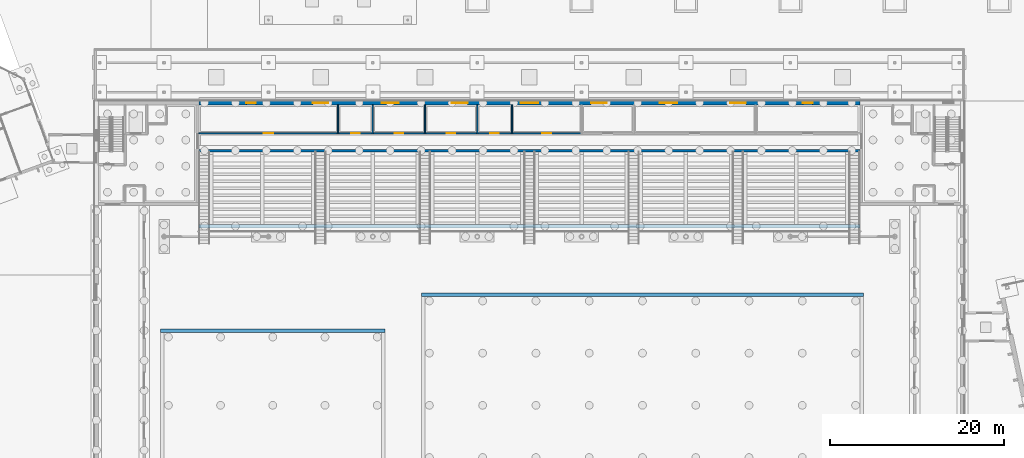
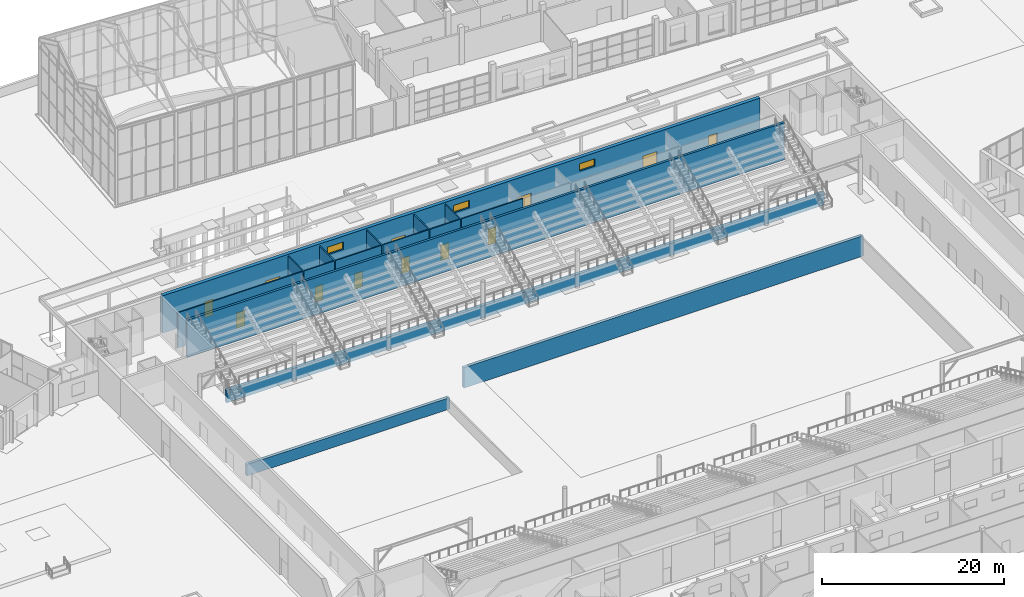
# One storey, part 95 of 157: 16 walls, 12 doors, 3 windows, 15 openings.
"""IFC4 building model written with IfcOpenShell, lengths in metres."""

import ifcopenshell
import ifcopenshell.guid

model = None  # the IFC model being written
_history = None  # IfcOwnerHistory: only IFC2X3 demands one
_inside = {}  # id of a spatial element -> (the spatial element, [elements in it])
_under = {}  # id of a project, library or spatial element -> (it, [spatial elements below it])
_declared = {}  # id of a project -> (the project, [libraries it declares])
_typed = {}  # id of a type object -> (the type object, [elements of that type])
_made_of = {}  # id of a material, layer set ... -> (it, [elements and type objects made of it])


def new_model(schema):
    """Start an empty IFC model of exactly this schema.

    Asked for "IFC4X3", IfcOpenShell would pick the latest addendum, in which some entities
    have other attributes; the version numbers below select the first issue.
    IFC2X3 requires an IfcOwnerHistory on every rooted entity: one is made here for all.
    """
    global model, _history
    if schema == "IFC4X3":
        model = ifcopenshell.file(schema_version=(4, 3, 0, 0))
    else:
        model = ifcopenshell.file(schema=schema)
    _inside.clear()
    _under.clear()
    _declared.clear()
    _typed.clear()
    _made_of.clear()
    _history = None
    if model.schema == "IFC2X3":
        org = make("IfcOrganization", Name="unknown")
        user = make(
            "IfcPersonAndOrganization",
            ThePerson=make("IfcPerson", FamilyName="unknown"),
            TheOrganization=org,
        )
        app = make(
            "IfcApplication",
            ApplicationDeveloper=org,
            Version="unknown",
            ApplicationFullName="unknown",
            ApplicationIdentifier="unknown",
        )
        _history = make(
            "IfcOwnerHistory",
            OwningUser=user,
            OwningApplication=app,
            ChangeAction="ADDED",
            CreationDate=0,
        )
    return model


def make(cls, **values):
    """One entity of the class cls with the attributes given. An attribute that is None is left unset."""
    return model.create_entity(
        cls, **{name: value for name, value in values.items() if value is not None}
    )


def rooted(cls, **values):
    """An entity with a GlobalId (a new one), such as an element, a storey or a relation."""
    return make(cls, GlobalId=ifcopenshell.guid.new(), OwnerHistory=_history, **values)


def si_unit(unit_type, name, prefix=None):
    """IfcSIUnit, for example si_unit("LENGTHUNIT", "METRE", prefix="MILLI")."""
    return make("IfcSIUnit", UnitType=unit_type, Prefix=prefix, Name=name)


def assignment(units):
    """IfcUnitAssignment: the units of a project."""
    return None if units is None else make("IfcUnitAssignment", Units=units)


def point(xyz):
    """IfcCartesianPoint."""
    return None if xyz is None else make("IfcCartesianPoint", Coordinates=xyz)


def direction(xyz):
    """IfcDirection."""
    return None if xyz is None else make("IfcDirection", DirectionRatios=xyz)


def frame(location, z_axis=None, x_axis=None):
    """IfcAxis2Placement3D, a coordinate frame: its origin and axes. An axis left out is left unset."""
    return make(
        "IfcAxis2Placement3D",
        Location=point(location),
        Axis=direction(z_axis),
        RefDirection=direction(x_axis),
    )


def frame_2d(location, x_axis=None):
    """IfcAxis2Placement2D, a coordinate frame in the plane: its origin and x axis."""
    return make(
        "IfcAxis2Placement2D", Location=point(location), RefDirection=direction(x_axis)
    )


def origin():
    """The frame at (0, 0, 0) with its axes left unset."""
    return frame((0.0, 0.0, 0.0))


def place(relative_to, where):
    """IfcLocalPlacement: puts the frame where relative to a parent placement (None: the world)."""
    return make(
        "IfcLocalPlacement", PlacementRelTo=relative_to, RelativePlacement=where
    )


def context(
    kind, dimensions, precision=None, world=None, true_north=None, identifier=None
):
    """IfcGeometricRepresentationContext, for example the 3D "Model" context."""
    return make(
        "IfcGeometricRepresentationContext",
        ContextIdentifier=identifier,
        ContextType=kind,
        CoordinateSpaceDimension=dimensions,
        Precision=precision,
        WorldCoordinateSystem=world,
        TrueNorth=true_north,
    )


def subcontext(parent, identifier, kind, view, scale=None):
    """IfcGeometricRepresentationSubContext, for example "Body" below "Model"."""
    return make(
        "IfcGeometricRepresentationSubContext",
        ContextIdentifier=identifier,
        ContextType=kind,
        ParentContext=parent,
        TargetScale=scale,
        TargetView=view,
    )


def project(units=None, contexts=None):
    """IfcProject with its units and contexts."""
    return rooted(
        "IfcProject",
        Name="project",
        RepresentationContexts=contexts,
        UnitsInContext=assignment(units),
    )


def spatial(cls, under=None, at=None, **own):
    """A site, building, storey or space (cls), placed at a placement, below another one or the project."""
    s = rooted(cls, ObjectPlacement=at, **own)
    if under is not None:
        _under.setdefault(under.id(), (under, []))[1].append(s)
    return s


def profile(cls, at=None, kind="AREA", **sizes):
    """A parametric profile (cls). Its sizes go by their IFC names, for example OverallWidth=200.0."""
    return make(cls, ProfileType=kind, Position=at, **sizes)


def rectangle(**sizes):
    """IfcRectangleProfileDef."""
    return profile("IfcRectangleProfileDef", **sizes)


def extrude(swept, where, along, depth):
    """IfcExtrudedAreaSolid: the profile swept, set in the frame where, extruded along a direction by depth."""
    return make(
        "IfcExtrudedAreaSolid",
        SweptArea=swept,
        Position=where,
        ExtrudedDirection=direction(along),
        Depth=depth,
    )


def shape(context_of_items, identifier, shape_type, items):
    """IfcShapeRepresentation: the items that make up one representation, for example the "Body"."""
    return make(
        "IfcShapeRepresentation",
        ContextOfItems=context_of_items,
        RepresentationIdentifier=identifier,
        RepresentationType=shape_type,
        Items=items,
    )


def material(Name=None, Category=None):
    """IfcMaterial."""
    return make("IfcMaterial", Name=Name, Category=Category)


def layer(
    of_material, thickness, ventilated=None, Name=None, Category=None, Priority=None
):
    """IfcMaterialLayer: one layer of a wall or slab, of a material (None: an air gap)."""
    return make(
        "IfcMaterialLayer",
        Material=of_material,
        LayerThickness=thickness,
        IsVentilated=ventilated,
        Name=Name,
        Category=Category,
        Priority=Priority,
    )


def layer_set(layers, Name=None):
    """IfcMaterialLayerSet."""
    return make("IfcMaterialLayerSet", MaterialLayers=layers, LayerSetName=Name)


def made_of(thing, what):
    """Note that an element or type object is made of a material, layer set ...; save() writes the relation."""
    if what is not None:
        _made_of.setdefault(what.id(), (what, []))[1].append(thing)
    return thing


def type_object(cls, material=None, **own):
    """A type object (cls), such as IfcWallType, which elements share."""
    return made_of(rooted(cls, **own), material)


def element(
    cls,
    number,
    at=None,
    inside=None,
    cuts=None,
    type_object=None,
    material=None,
    context=None,
    identifier="Body",
    shape_type=None,
    held_by="IfcProductDefinitionShape",
    body=None,
    shapes=None,
    **own,
):
    """One element of the class cls, such as IfcWall. Its Tag is "e" and its number.

    at: its placement. inside: the storey or other place that contains it. cuts: it is an
    opening in that element (IfcRelVoidsElement). A single representation is given by context,
    identifier, shape_type and body (its items); several are given by shapes. held_by: the class
    of the entity that holds the representations. save() writes the other relations.
    """
    e = rooted(cls, Tag="e%d" % number, ObjectPlacement=at, **own)
    if body is not None:
        shapes = [shape(context, identifier, shape_type, body)]
    if shapes is not None:
        e.Representation = make(held_by, Representations=shapes)
    if inside is not None:
        _inside.setdefault(inside.id(), (inside, []))[1].append(e)
    if cuts is not None:
        rooted(
            "IfcRelVoidsElement", RelatingBuildingElement=cuts, RelatedOpeningElement=e
        )
    if type_object is not None:
        _typed.setdefault(type_object.id(), (type_object, []))[1].append(e)
    return made_of(e, material)


def fill(opening, filler):
    """IfcRelFillsElement: the door or window that sits in an opening."""
    return rooted(
        "IfcRelFillsElement",
        RelatingOpeningElement=opening,
        RelatedBuildingElement=filler,
    )


def aggregate(whole, parts):
    """IfcRelAggregates: a whole, such as a stair, and the parts it consists of."""
    return rooted("IfcRelAggregates", RelatingObject=whole, RelatedObjects=parts)


def save(model, path):
    """Write the relations noted so far, then the file.

    IfcRelAggregates (storeys below a building ...), IfcRelContainedInSpatialStructure (elements
    in a storey), IfcRelDefinesByType, IfcRelAssociatesMaterial and IfcRelDeclares: one each for
    every whole, place, type object, material and project.
    """
    for whole, parts in _under.values():
        aggregate(whole, parts)
    for where, things in _inside.values():
        rooted(
            "IfcRelContainedInSpatialStructure",
            RelatedElements=things,
            RelatingStructure=where,
        )
    for kind, things in _typed.values():
        rooted("IfcRelDefinesByType", RelatedObjects=things, RelatingType=kind)
    for what, things in _made_of.values():
        rooted("IfcRelAssociatesMaterial", RelatedObjects=things, RelatingMaterial=what)
    for by, libraries in _declared.values():
        rooted("IfcRelDeclares", RelatingContext=by, RelatedDefinitions=libraries)
    model.write(path)


model = new_model("IFC4")

# Units and contexts
model_context = context("Model", 3, precision=1e-05, world=origin(), true_north=direction((0.0, 1.0)))
body_context = subcontext(model_context, "Body", "Model", "MODEL_VIEW")
ifc_project = project(units=[si_unit("LENGTHUNIT", "METRE"), si_unit("AREAUNIT", "SQUARE_METRE"), si_unit("VOLUMEUNIT", "CUBIC_METRE"), si_unit("PLANEANGLEUNIT", "RADIAN"), si_unit("MASSUNIT", "GRAM", prefix="KILO")], contexts=[model_context])

# Site, building, storey
site_placement = place(None, origin())
site = spatial("IfcSite", under=ifc_project, at=site_placement, CompositionType="ELEMENT")
building_placement = place(site_placement, origin())
building = spatial("IfcBuilding", under=site, at=building_placement, Name="Windward Yard Aquatics Centre", CompositionType="ELEMENT")
storey_placement = place(building_placement, origin())
storey = spatial("IfcBuildingStorey", under=building, at=storey_placement, Name="L00", CompositionType="ELEMENT", Elevation=0.0)

# Wall, opening, door
ifc_material_1 = material(Name="Blockwork 150 mm", Category="masonry")
ifc_layer_1 = layer(ifc_material_1, 0.14990234375)
ifc_layer_set_1 = layer_set([ifc_layer_1], Name="H Partition Blockwork 150")
wall_type_1 = type_object("IfcWallType", Name="H Partition Blockwork 150", PredefinedType="PARTITIONING", material=ifc_layer_set_1)
wall_1_placement = place(storey_placement, frame((64.0, 92.280029296875, 0.0), z_axis=(0.0, 0.0, 1.0), x_axis=(1.0, 0.0, 0.0)))
wall_1 = element("IfcWall", 1, at=wall_1_placement, inside=storey, type_object=wall_type_1, Name="L00 partition Team Changing Room", PredefinedType="PARTITIONING", context=body_context, shape_type="SweptSolid", body=[
    extrude(rectangle(XDim=15.925048828125, YDim=0.14990234375, at=frame_2d((7.96240234375, 0.0))), origin(), (0.0, 0.0, 1.0), 4.75),
])
opening_1_placement = place(wall_1_placement, frame((7.449951171875, 0.0, 0.0)))
opening_1 = element("IfcOpeningElement", 2, at=opening_1_placement, cuts=wall_1, Name="Opening H0038", PredefinedType="OPENING", context=body_context, shape_type="SweptSolid", body=[
    extrude(rectangle(XDim=1.10009765625, YDim=2.10009765625, at=frame_2d((0.550048828125, 1.050048828125))), frame((0.0, 0.0849609375, 0.0), z_axis=(0.0, -1.0, 0.0), x_axis=(1.0, 0.0, 0.0)), (0.0, 0.0, 1.0), 0.169921875),
])
ifc_material_2 = material(Name="Steel and timber door leaf", Category="steel")
door_type_1 = type_object("IfcDoorType", Name="H Door Single 1100 x 2100 FD30S", OperationType="NOTDEFINED", PredefinedType="DOOR", material=ifc_material_2)
door_1_placement = place(opening_1_placement, origin())
door_1 = element("IfcDoor", 3, at=door_1_placement, inside=storey, type_object=door_type_1, Name="L00 Team Changing Room door", OperationType="SINGLE_SWING_RIGHT", OverallHeight=2.10009765625, OverallWidth=1.10009765625, PredefinedType="DOOR", context=body_context, shape_type="SweptSolid", body=[
    extrude(rectangle(XDim=1.10009765625, YDim=2.10009765625, at=frame_2d((0.550048828125, 1.050048828125))), frame((0.0, 0.02490234375, 0.0), z_axis=(0.0, -1.0, 0.0), x_axis=(1.0, 0.0, 0.0)), (0.0, 0.0, 1.0), 0.050048828125),
])
fill(opening_1, door_1)

# Wall
wall_2_placement = place(storey_placement, frame((80.0, 95.550048828125, 0.0), z_axis=(0.0, 0.0, 1.0), x_axis=(0.0, -1.0, 0.0)))
element("IfcWall", 4, at=wall_2_placement, inside=storey, type_object=wall_type_1, Name="L00 partition Team Changing Room", PredefinedType="PARTITIONING", context=body_context, shape_type="SweptSolid", body=[
    extrude(rectangle(XDim=3.344970703125, YDim=0.14990234375, at=frame_2d((1.67236328125, 0.0))), origin(), (0.0, 0.0, 1.0), 4.75),
])

# Wall, opening, door
wall_3_placement = place(storey_placement, frame((80.074951171875, 92.280029296875, 0.0), z_axis=(0.0, 0.0, 1.0), x_axis=(1.0, 0.0, 0.0)))
wall_3 = element("IfcWall", 5, at=wall_3_placement, inside=storey, type_object=wall_type_1, Name="L00 partition Team Shower Room", PredefinedType="PARTITIONING", context=body_context, shape_type="SweptSolid", body=[
    extrude(rectangle(XDim=3.85009765625, YDim=0.14990234375, at=frame_2d((1.925048828125, 0.0))), origin(), (0.0, 0.0, 1.0), 4.75),
])
opening_2_placement = place(wall_3_placement, frame((1.425048828125, 0.0, 0.0)))
opening_2 = element("IfcOpeningElement", 6, at=opening_2_placement, cuts=wall_3, Name="Opening H0039", PredefinedType="OPENING", context=body_context, shape_type="SweptSolid", body=[
    extrude(rectangle(XDim=1.0, YDim=2.10009765625, at=frame_2d((0.5, 1.050048828125))), frame((0.0, 0.0849609375, 0.0), z_axis=(0.0, -1.0, 0.0), x_axis=(1.0, 0.0, 0.0)), (0.0, 0.0, 1.0), 0.169921875),
])
door_type_2 = type_object("IfcDoorType", Name="H Door Single 1000 x 2100 FD30S", OperationType="NOTDEFINED", PredefinedType="DOOR", material=ifc_material_2)
door_2_placement = place(opening_2_placement, origin())
door_2 = element("IfcDoor", 7, at=door_2_placement, inside=storey, type_object=door_type_2, Name="L00 Team Shower Room door", OperationType="SINGLE_SWING_LEFT", OverallHeight=2.10009765625, OverallWidth=1.0, PredefinedType="DOOR", context=body_context, shape_type="SweptSolid", body=[
    extrude(rectangle(XDim=1.0, YDim=2.10009765625, at=frame_2d((0.5, 1.050048828125))), frame((0.0, 0.02490234375, 0.0), z_axis=(0.0, -1.0, 0.0), x_axis=(1.0, 0.0, 0.0)), (0.0, 0.0, 1.0), 0.050048828125),
])
fill(opening_2, door_2)

# Wall
wall_4_placement = place(storey_placement, frame((84.0, 95.550048828125, 0.0), z_axis=(0.0, 0.0, 1.0), x_axis=(0.0, -1.0, 0.0)))
element("IfcWall", 8, at=wall_4_placement, inside=storey, type_object=wall_type_1, Name="L00 partition Team Shower Room", PredefinedType="PARTITIONING", context=body_context, shape_type="SweptSolid", body=[
    extrude(rectangle(XDim=3.344970703125, YDim=0.14990234375, at=frame_2d((1.67236328125, 0.0))), origin(), (0.0, 0.0, 1.0), 4.75),
])

# Wall, opening, door
wall_5_placement = place(storey_placement, frame((84.074951171875, 92.280029296875, 0.0), z_axis=(0.0, 0.0, 1.0), x_axis=(1.0, 0.0, 0.0)))
wall_5 = element("IfcWall", 9, at=wall_5_placement, inside=storey, type_object=wall_type_1, Name="L00 partition Spectator WC Men", PredefinedType="PARTITIONING", context=body_context, shape_type="SweptSolid", body=[
    extrude(rectangle(XDim=5.85009765625, YDim=0.14990234375, at=frame_2d((2.925048828125, 0.0))), origin(), (0.0, 0.0, 1.0), 4.75),
])
opening_3_placement = place(wall_5_placement, frame((2.425048828125, 0.0, 0.0)))
opening_3 = element("IfcOpeningElement", 10, at=opening_3_placement, cuts=wall_5, Name="Opening H0040", PredefinedType="OPENING", context=body_context, shape_type="SweptSolid", body=[
    extrude(rectangle(XDim=1.0, YDim=2.10009765625, at=frame_2d((0.5, 1.050048828125))), frame((0.0, 0.0849609375, 0.0), z_axis=(0.0, -1.0, 0.0), x_axis=(1.0, 0.0, 0.0)), (0.0, 0.0, 1.0), 0.169921875),
])
door_3_placement = place(opening_3_placement, origin())
door_3 = element("IfcDoor", 11, at=door_3_placement, inside=storey, type_object=door_type_2, Name="L00 Spectator WC Men door", OperationType="SINGLE_SWING_RIGHT", OverallHeight=2.10009765625, OverallWidth=1.0, PredefinedType="DOOR", context=body_context, shape_type="SweptSolid", body=[
    extrude(rectangle(XDim=1.0, YDim=2.10009765625, at=frame_2d((0.5, 1.050048828125))), frame((0.0, 0.02490234375, 0.0), z_axis=(0.0, -1.0, 0.0), x_axis=(1.0, 0.0, 0.0)), (0.0, 0.0, 1.0), 0.050048828125),
])
fill(opening_3, door_3)

# Wall
wall_6_placement = place(storey_placement, frame((90.0, 95.550048828125, 0.0), z_axis=(0.0, 0.0, 1.0), x_axis=(0.0, -1.0, 0.0)))
element("IfcWall", 12, at=wall_6_placement, inside=storey, type_object=wall_type_1, Name="L00 partition Spectator WC Men", PredefinedType="PARTITIONING", context=body_context, shape_type="SweptSolid", body=[
    extrude(rectangle(XDim=3.344970703125, YDim=0.14990234375, at=frame_2d((1.67236328125, 0.0))), origin(), (0.0, 0.0, 1.0), 4.75),
])

# Wall, opening, door
wall_7_placement = place(storey_placement, frame((90.074951171875, 92.280029296875, 0.0), z_axis=(0.0, 0.0, 1.0), x_axis=(1.0, 0.0, 0.0)))
wall_7 = element("IfcWall", 13, at=wall_7_placement, inside=storey, type_object=wall_type_1, Name="L00 partition Spectator WC Women", PredefinedType="PARTITIONING", context=body_context, shape_type="SweptSolid", body=[
    extrude(rectangle(XDim=5.85009765625, YDim=0.14990234375, at=frame_2d((2.925048828125, 0.0))), origin(), (0.0, 0.0, 1.0), 4.75),
])
opening_4_placement = place(wall_7_placement, frame((2.425048828125, 0.0, 0.0)))
opening_4 = element("IfcOpeningElement", 14, at=opening_4_placement, cuts=wall_7, Name="Opening H0041", PredefinedType="OPENING", context=body_context, shape_type="SweptSolid", body=[
    extrude(rectangle(XDim=1.0, YDim=2.10009765625, at=frame_2d((0.5, 1.050048828125))), frame((0.0, 0.0849609375, 0.0), z_axis=(0.0, -1.0, 0.0), x_axis=(1.0, 0.0, 0.0)), (0.0, 0.0, 1.0), 0.169921875),
])
door_4_placement = place(opening_4_placement, origin())
door_4 = element("IfcDoor", 15, at=door_4_placement, inside=storey, type_object=door_type_2, Name="L00 Spectator WC Women door", OperationType="SINGLE_SWING_LEFT", OverallHeight=2.10009765625, OverallWidth=1.0, PredefinedType="DOOR", context=body_context, shape_type="SweptSolid", body=[
    extrude(rectangle(XDim=1.0, YDim=2.10009765625, at=frame_2d((0.5, 1.050048828125))), frame((0.0, 0.02490234375, 0.0), z_axis=(0.0, -1.0, 0.0), x_axis=(1.0, 0.0, 0.0)), (0.0, 0.0, 1.0), 0.050048828125),
])
fill(opening_4, door_4)

# Wall
wall_8_placement = place(storey_placement, frame((96.0, 95.550048828125, 0.0), z_axis=(0.0, 0.0, 1.0), x_axis=(0.0, -1.0, 0.0)))
element("IfcWall", 16, at=wall_8_placement, inside=storey, type_object=wall_type_1, Name="L00 partition Spectator WC Women", PredefinedType="PARTITIONING", context=body_context, shape_type="SweptSolid", body=[
    extrude(rectangle(XDim=3.344970703125, YDim=0.14990234375, at=frame_2d((1.67236328125, 0.0))), origin(), (0.0, 0.0, 1.0), 4.75),
])

# Wall, opening, door
wall_9_placement = place(storey_placement, frame((96.074951171875, 92.280029296875, 0.0), z_axis=(0.0, 0.0, 1.0), x_axis=(1.0, 0.0, 0.0)))
wall_9 = element("IfcWall", 17, at=wall_9_placement, inside=storey, type_object=wall_type_1, Name="L00 partition Accessible WC", PredefinedType="PARTITIONING", context=body_context, shape_type="SweptSolid", body=[
    extrude(rectangle(XDim=3.85009765625, YDim=0.14990234375, at=frame_2d((1.925048828125, 0.0))), origin(), (0.0, 0.0, 1.0), 4.75),
])
opening_5_placement = place(wall_9_placement, frame((1.425048828125, 0.0, 0.0)))
opening_5 = element("IfcOpeningElement", 18, at=opening_5_placement, cuts=wall_9, Name="Opening H0042", PredefinedType="OPENING", context=body_context, shape_type="SweptSolid", body=[
    extrude(rectangle(XDim=1.0, YDim=2.10009765625, at=frame_2d((0.5, 1.050048828125))), frame((0.0, 0.0849609375, 0.0), z_axis=(0.0, -1.0, 0.0), x_axis=(1.0, 0.0, 0.0)), (0.0, 0.0, 1.0), 0.169921875),
])
door_5_placement = place(opening_5_placement, origin())
door_5 = element("IfcDoor", 19, at=door_5_placement, inside=storey, type_object=door_type_2, Name="L00 Accessible WC door", OperationType="SINGLE_SWING_RIGHT", OverallHeight=2.10009765625, OverallWidth=1.0, PredefinedType="DOOR", context=body_context, shape_type="SweptSolid", body=[
    extrude(rectangle(XDim=1.0, YDim=2.10009765625, at=frame_2d((0.5, 1.050048828125))), frame((0.0, 0.02490234375, 0.0), z_axis=(0.0, -1.0, 0.0), x_axis=(1.0, 0.0, 0.0)), (0.0, 0.0, 1.0), 0.050048828125),
])
fill(opening_5, door_5)

# Wall
wall_10_placement = place(storey_placement, frame((100.0, 95.550048828125, 0.0), z_axis=(0.0, 0.0, 1.0), x_axis=(0.0, -1.0, 0.0)))
element("IfcWall", 20, at=wall_10_placement, inside=storey, type_object=wall_type_1, Name="L00 partition Accessible WC", PredefinedType="PARTITIONING", context=body_context, shape_type="SweptSolid", body=[
    extrude(rectangle(XDim=3.344970703125, YDim=0.14990234375, at=frame_2d((1.67236328125, 0.0))), origin(), (0.0, 0.0, 1.0), 4.75),
])

# Wall, opening, door
wall_11_placement = place(storey_placement, frame((100.074951171875, 92.280029296875, 0.0), z_axis=(0.0, 0.0, 1.0), x_axis=(1.0, 0.0, 0.0)))
wall_11 = element("IfcWall", 21, at=wall_11_placement, inside=storey, type_object=wall_type_1, Name="L00 partition Ticketing and Security Office", PredefinedType="PARTITIONING", context=body_context, shape_type="SweptSolid", body=[
    extrude(rectangle(XDim=7.85009765625, YDim=0.14990234375, at=frame_2d((3.925048828125, 0.0))), origin(), (0.0, 0.0, 1.0), 4.75),
])
opening_6_placement = place(wall_11_placement, frame((3.425048828125, 0.0, 0.0)))
opening_6 = element("IfcOpeningElement", 22, at=opening_6_placement, cuts=wall_11, Name="Opening H0043", PredefinedType="OPENING", context=body_context, shape_type="SweptSolid", body=[
    extrude(rectangle(XDim=1.0, YDim=2.10009765625, at=frame_2d((0.5, 1.050048828125))), frame((0.0, 0.0849609375, 0.0), z_axis=(0.0, -1.0, 0.0), x_axis=(1.0, 0.0, 0.0)), (0.0, 0.0, 1.0), 0.169921875),
])
door_6_placement = place(opening_6_placement, origin())
door_6 = element("IfcDoor", 23, at=door_6_placement, inside=storey, type_object=door_type_2, Name="L00 Ticketing and Security Office door", OperationType="SINGLE_SWING_LEFT", OverallHeight=2.10009765625, OverallWidth=1.0, PredefinedType="DOOR", context=body_context, shape_type="SweptSolid", body=[
    extrude(rectangle(XDim=1.0, YDim=2.10009765625, at=frame_2d((0.5, 1.050048828125))), frame((0.0, 0.02490234375, 0.0), z_axis=(0.0, -1.0, 0.0), x_axis=(1.0, 0.0, 0.0)), (0.0, 0.0, 1.0), 0.050048828125),
])
fill(opening_6, door_6)

# Wall, openings, doors, windows
ifc_material_3 = material(Name="Natural stone cladding", Category="masonry")
ifc_layer_2 = layer(ifc_material_3, 0.04, Name="Cladding")
ifc_material_4 = material(Name="Ventilated air cavity")
ifc_layer_3 = layer(ifc_material_4, 0.05, ventilated=True, Name="Ventilated cavity")
ifc_material_5 = material(Name="Mineral wool insulation")
ifc_layer_4 = layer(ifc_material_5, 0.08, Name="Insulation")
ifc_material_6 = material(Name="Concrete C35/45", Category="concrete")
ifc_layer_5 = layer(ifc_material_6, 0.28, Name="Structure")
ifc_layer_set_2 = layer_set([ifc_layer_2, ifc_layer_3, ifc_layer_4, ifc_layer_5], Name="H plinth wall stone faced 450 C35/45")
wall_type_2 = type_object("IfcWallType", Name="H plinth wall stone faced 450 C35/45", PredefinedType="ELEMENTEDWALL", material=ifc_layer_set_2)
wall_12_placement = place(storey_placement, frame((64.0, 95.77490234375, 0.0), z_axis=(0.0, 0.0, 1.0), x_axis=(1.0, 0.0, 0.0)))
wall_12 = element("IfcWall", 24, at=wall_12_placement, inside=storey, type_object=wall_type_2, Name="H.PW.N.L00", PredefinedType="ELEMENTEDWALL", context=body_context, shape_type="SweptSolid", body=[
    extrude(rectangle(XDim=76.0, YDim=0.449951171875, at=frame_2d((38.0, 0.0))), origin(), (0.0, 0.0, 1.0), 5.0),
])
opening_7_placement = place(wall_12_placement, frame((13.10009765625, 0.0, 0.0)))
opening_7 = element("IfcOpeningElement", 25, at=opening_7_placement, cuts=wall_12, Name="Opening H0101", PredefinedType="OPENING", context=body_context, shape_type="SweptSolid", body=[
    extrude(rectangle(XDim=1.800048828125, YDim=2.39990234375, at=frame_2d((0.89990234375, 1.199951171875))), frame((0.0, 0.23486328125, 0.0), z_axis=(0.0, -1.0, 0.0), x_axis=(1.0, 0.0, 0.0)), (0.0, 0.0, 1.0), 0.469970703125),
])
opening_8_placement = place(wall_12_placement, frame((29.10009765625, 0.0, 0.0)))
opening_8 = element("IfcOpeningElement", 26, at=opening_8_placement, cuts=wall_12, Name="Opening H0102", PredefinedType="OPENING", context=body_context, shape_type="SweptSolid", body=[
    extrude(rectangle(XDim=1.800048828125, YDim=2.39990234375, at=frame_2d((0.89990234375, 1.199951171875))), frame((0.0, 0.23486328125, 0.0), z_axis=(0.0, -1.0, 0.0), x_axis=(1.0, 0.0, 0.0)), (0.0, 0.0, 1.0), 0.469970703125),
])
opening_9_placement = place(wall_12_placement, frame((45.10009765625, 0.0, 0.0)))
opening_9 = element("IfcOpeningElement", 27, at=opening_9_placement, cuts=wall_12, Name="Opening H0103", PredefinedType="OPENING", context=body_context, shape_type="SweptSolid", body=[
    extrude(rectangle(XDim=1.800048828125, YDim=2.39990234375, at=frame_2d((0.89990234375, 1.199951171875))), frame((0.0, 0.23486328125, 0.0), z_axis=(0.0, -1.0, 0.0), x_axis=(1.0, 0.0, 0.0)), (0.0, 0.0, 1.0), 0.469970703125),
])
opening_10_placement = place(wall_12_placement, frame((61.10009765625, 0.0, 0.0)))
opening_10 = element("IfcOpeningElement", 28, at=opening_10_placement, cuts=wall_12, Name="Opening H0104", PredefinedType="OPENING", context=body_context, shape_type="SweptSolid", body=[
    extrude(rectangle(XDim=1.800048828125, YDim=2.39990234375, at=frame_2d((0.89990234375, 1.199951171875))), frame((0.0, 0.23486328125, 0.0), z_axis=(0.0, -1.0, 0.0), x_axis=(1.0, 0.0, 0.0)), (0.0, 0.0, 1.0), 0.469970703125),
])
opening_11_placement = place(wall_12_placement, frame((5.449951171875, 0.0, 0.0)))
opening_11 = element("IfcOpeningElement", 29, at=opening_11_placement, cuts=wall_12, Name="Opening H0105", PredefinedType="OPENING", context=body_context, shape_type="SweptSolid", body=[
    extrude(rectangle(XDim=1.10009765625, YDim=2.199951171875, at=frame_2d((0.550048828125, 1.10009765625))), frame((0.0, 0.23486328125, 0.0), z_axis=(0.0, -1.0, 0.0), x_axis=(1.0, 0.0, 0.0)), (0.0, 0.0, 1.0), 0.469970703125),
])
opening_12_placement = place(wall_12_placement, frame((69.449951171875, 0.0, 0.0)))
opening_12 = element("IfcOpeningElement", 30, at=opening_12_placement, cuts=wall_12, Name="Opening H0106", PredefinedType="OPENING", context=body_context, shape_type="SweptSolid", body=[
    extrude(rectangle(XDim=1.10009765625, YDim=2.199951171875, at=frame_2d((0.550048828125, 1.10009765625))), frame((0.0, 0.23486328125, 0.0), z_axis=(0.0, -1.0, 0.0), x_axis=(1.0, 0.0, 0.0)), (0.0, 0.0, 1.0), 0.469970703125),
])
opening_13_placement = place(wall_12_placement, frame((21.0, 0.0, 3.199951171875)))
opening_13 = element("IfcOpeningElement", 31, at=opening_13_placement, cuts=wall_12, Name="Opening H0201", PredefinedType="OPENING", context=body_context, shape_type="SweptSolid", body=[
    extrude(rectangle(XDim=2.0, YDim=1.0, at=frame_2d((1.0, 0.5))), frame((0.0, 0.23486328125, 0.0), z_axis=(0.0, -1.0, 0.0), x_axis=(1.0, 0.0, 0.0)), (0.0, 0.0, 1.0), 0.469970703125),
])
opening_14_placement = place(wall_12_placement, frame((37.0, 0.0, 3.199951171875)))
opening_14 = element("IfcOpeningElement", 32, at=opening_14_placement, cuts=wall_12, Name="Opening H0202", PredefinedType="OPENING", context=body_context, shape_type="SweptSolid", body=[
    extrude(rectangle(XDim=2.0, YDim=1.0, at=frame_2d((1.0, 0.5))), frame((0.0, 0.23486328125, 0.0), z_axis=(0.0, -1.0, 0.0), x_axis=(1.0, 0.0, 0.0)), (0.0, 0.0, 1.0), 0.469970703125),
])
opening_15_placement = place(wall_12_placement, frame((53.0, 0.0, 3.199951171875)))
opening_15 = element("IfcOpeningElement", 33, at=opening_15_placement, cuts=wall_12, Name="Opening H0203", PredefinedType="OPENING", context=body_context, shape_type="SweptSolid", body=[
    extrude(rectangle(XDim=2.0, YDim=1.0, at=frame_2d((1.0, 0.5))), frame((0.0, 0.23486328125, 0.0), z_axis=(0.0, -1.0, 0.0), x_axis=(1.0, 0.0, 0.0)), (0.0, 0.0, 1.0), 0.469970703125),
])
ifc_material_7 = material(Name="Powder coated steel door set with vision panels", Category="steel")
door_type_3 = type_object("IfcDoorType", Name="H exit door double leaf 1800x2400", OperationType="DOUBLE_DOOR_SINGLE_SWING", PredefinedType="DOOR", material=ifc_material_7)
door_7_placement = place(opening_7_placement, origin())
door_7 = element("IfcDoor", 34, at=door_7_placement, inside=storey, type_object=door_type_3, Name="Exit door N 101", OperationType="DOUBLE_DOOR_SINGLE_SWING", OverallHeight=2.39990234375, OverallWidth=1.800048828125, PredefinedType="DOOR", context=body_context, shape_type="SweptSolid", body=[
    extrude(rectangle(XDim=1.800048828125, YDim=2.39990234375, at=frame_2d((0.89990234375, 1.199951171875))), frame((0.0, 0.02490234375, 0.0), z_axis=(0.0, -1.0, 0.0), x_axis=(1.0, 0.0, 0.0)), (0.0, 0.0, 1.0), 0.050048828125),
])
fill(opening_7, door_7)
door_8_placement = place(opening_8_placement, origin())
door_8 = element("IfcDoor", 35, at=door_8_placement, inside=storey, type_object=door_type_3, Name="Exit door N 102", OperationType="DOUBLE_DOOR_SINGLE_SWING", OverallHeight=2.39990234375, OverallWidth=1.800048828125, PredefinedType="DOOR", context=body_context, shape_type="SweptSolid", body=[
    extrude(rectangle(XDim=1.800048828125, YDim=2.39990234375, at=frame_2d((0.89990234375, 1.199951171875))), frame((0.0, 0.02490234375, 0.0), z_axis=(0.0, -1.0, 0.0), x_axis=(1.0, 0.0, 0.0)), (0.0, 0.0, 1.0), 0.050048828125),
])
fill(opening_8, door_8)
door_9_placement = place(opening_9_placement, origin())
door_9 = element("IfcDoor", 36, at=door_9_placement, inside=storey, type_object=door_type_3, Name="Exit door N 103", OperationType="DOUBLE_DOOR_SINGLE_SWING", OverallHeight=2.39990234375, OverallWidth=1.800048828125, PredefinedType="DOOR", context=body_context, shape_type="SweptSolid", body=[
    extrude(rectangle(XDim=1.800048828125, YDim=2.39990234375, at=frame_2d((0.89990234375, 1.199951171875))), frame((0.0, 0.02490234375, 0.0), z_axis=(0.0, -1.0, 0.0), x_axis=(1.0, 0.0, 0.0)), (0.0, 0.0, 1.0), 0.050048828125),
])
fill(opening_9, door_9)
door_10_placement = place(opening_10_placement, origin())
door_10 = element("IfcDoor", 37, at=door_10_placement, inside=storey, type_object=door_type_3, Name="Exit door N 104", OperationType="DOUBLE_DOOR_SINGLE_SWING", OverallHeight=2.39990234375, OverallWidth=1.800048828125, PredefinedType="DOOR", context=body_context, shape_type="SweptSolid", body=[
    extrude(rectangle(XDim=1.800048828125, YDim=2.39990234375, at=frame_2d((0.89990234375, 1.199951171875))), frame((0.0, 0.02490234375, 0.0), z_axis=(0.0, -1.0, 0.0), x_axis=(1.0, 0.0, 0.0)), (0.0, 0.0, 1.0), 0.050048828125),
])
fill(opening_10, door_10)
ifc_material_8 = material(Name="Aluminium window frame with laminated glass", Category="aluminium")
window_type = type_object("IfcWindowType", Name="H plinth high window 2000x1000", PartitioningType="SINGLE_PANEL", PredefinedType="WINDOW", material=ifc_material_8)
window_1_placement = place(opening_13_placement, origin())
window_1 = element("IfcWindow", 38, at=window_1_placement, inside=storey, type_object=window_type, Name="Plinth window N 201", OverallHeight=1.0, OverallWidth=2.0, PartitioningType="SINGLE_PANEL", PredefinedType="WINDOW", context=body_context, shape_type="SweptSolid", body=[
    extrude(rectangle(XDim=2.0, YDim=1.0, at=frame_2d((1.0, 0.5))), frame((0.0, 0.030029296875, 0.0), z_axis=(0.0, -1.0, 0.0), x_axis=(1.0, 0.0, 0.0)), (0.0, 0.0, 1.0), 0.06005859375),
])
fill(opening_13, window_1)
window_2_placement = place(opening_14_placement, origin())
window_2 = element("IfcWindow", 39, at=window_2_placement, inside=storey, type_object=window_type, Name="Plinth window N 202", OverallHeight=1.0, OverallWidth=2.0, PartitioningType="SINGLE_PANEL", PredefinedType="WINDOW", context=body_context, shape_type="SweptSolid", body=[
    extrude(rectangle(XDim=2.0, YDim=1.0, at=frame_2d((1.0, 0.5))), frame((0.0, 0.030029296875, 0.0), z_axis=(0.0, -1.0, 0.0), x_axis=(1.0, 0.0, 0.0)), (0.0, 0.0, 1.0), 0.06005859375),
])
fill(opening_14, window_2)
window_3_placement = place(opening_15_placement, origin())
window_3 = element("IfcWindow", 40, at=window_3_placement, inside=storey, type_object=window_type, Name="Plinth window N 203", OverallHeight=1.0, OverallWidth=2.0, PartitioningType="SINGLE_PANEL", PredefinedType="WINDOW", context=body_context, shape_type="SweptSolid", body=[
    extrude(rectangle(XDim=2.0, YDim=1.0, at=frame_2d((1.0, 0.5))), frame((0.0, 0.030029296875, 0.0), z_axis=(0.0, -1.0, 0.0), x_axis=(1.0, 0.0, 0.0)), (0.0, 0.0, 1.0), 0.06005859375),
])
fill(opening_15, window_3)
door_type_4 = type_object("IfcDoorType", Name="H service door single leaf 1100x2200", OperationType="SINGLE_SWING_LEFT", PredefinedType="DOOR", material=ifc_material_7)
door_11_placement = place(opening_11_placement, origin())
door_11 = element("IfcDoor", 41, at=door_11_placement, inside=storey, type_object=door_type_4, Name="Exit door N 105", OperationType="SINGLE_SWING_RIGHT", OverallHeight=2.199951171875, OverallWidth=1.10009765625, PredefinedType="DOOR", context=body_context, shape_type="SweptSolid", body=[
    extrude(rectangle(XDim=1.10009765625, YDim=2.199951171875, at=frame_2d((0.550048828125, 1.10009765625))), frame((0.0, 0.02490234375, 0.0), z_axis=(0.0, -1.0, 0.0), x_axis=(1.0, 0.0, 0.0)), (0.0, 0.0, 1.0), 0.050048828125),
])
fill(opening_11, door_11)
door_12_placement = place(opening_12_placement, origin())
door_12 = element("IfcDoor", 42, at=door_12_placement, inside=storey, type_object=door_type_4, Name="Exit door N 106", OperationType="SINGLE_SWING_LEFT", OverallHeight=2.199951171875, OverallWidth=1.10009765625, PredefinedType="DOOR", context=body_context, shape_type="SweptSolid", body=[
    extrude(rectangle(XDim=1.10009765625, YDim=2.199951171875, at=frame_2d((0.550048828125, 1.10009765625))), frame((0.0, 0.02490234375, 0.0), z_axis=(0.0, -1.0, 0.0), x_axis=(1.0, 0.0, 0.0)), (0.0, 0.0, 1.0), 0.050048828125),
])
fill(opening_12, door_12)

# Walls
ifc_layer_6 = layer(ifc_material_6, 0.300048828125)
ifc_layer_set_3 = layer_set([ifc_layer_6], Name="H rear wall 300 C35/45")
wall_type_3 = type_object("IfcWallType", Name="H rear wall 300 C35/45", PredefinedType="SOLIDWALL", material=ifc_layer_set_3)
wall_13_placement = place(storey_placement, frame((64.0, 90.290283203125, 0.0), z_axis=(0.0, 0.0, 1.0), x_axis=(1.0, 0.0, 0.0)))
element("IfcWall", 43, at=wall_13_placement, inside=storey, type_object=wall_type_3, Name="H.RW.N.L00", PredefinedType="SOLIDWALL", context=body_context, shape_type="SweptSolid", body=[
    extrude(rectangle(XDim=76.0, YDim=0.300048828125, at=frame_2d((38.0, 0.0))), origin(), (0.0, 0.0, 1.0), 5.0),
])
ifc_layer_7 = layer(ifc_material_6, 0.39990234375)
ifc_layer_set_4 = layer_set([ifc_layer_7], Name="H stand front wall 400 C35/45")
wall_type_4 = type_object("IfcWallType", Name="H stand front wall 400 C35/45", PredefinedType="SOLIDWALL", material=ifc_layer_set_4)
wall_14_placement = place(storey_placement, frame((64.0, 81.60009765625, -0.800048828125), z_axis=(0.0, 0.0, 1.0), x_axis=(1.0, 0.0, 0.0)))
element("IfcWall", 44, at=wall_14_placement, inside=storey, type_object=wall_type_4, Name="H.SW.N", PredefinedType="SOLIDWALL", context=body_context, shape_type="SweptSolid", body=[
    extrude(rectangle(XDim=76.0, YDim=0.39990234375, at=frame_2d((38.0, 0.0))), origin(), (0.0, 0.0, 1.0), 1.66015625),
])
ifc_material_9 = material(Name="Ceramic tile in waterproof adhesive")
ifc_layer_8 = layer(ifc_material_9, 0.02, Name="Tile lining")
ifc_material_10 = material(Name="Cementitious waterproofing membrane")
ifc_layer_9 = layer(ifc_material_10, 0.005, Name="Waterproofing")
ifc_material_11 = material(Name="Concrete C40/50", Category="concrete")
ifc_layer_10 = layer(ifc_material_11, 0.375, Name="Structure")
ifc_layer_set_5 = layer_set([ifc_layer_8, ifc_layer_9, ifc_layer_10], Name="H tank wall 400 C40/50")
wall_type_5 = type_object("IfcWallType", Name="H tank wall 400 C40/50", PredefinedType="SOLIDWALL", material=ifc_layer_set_5)
wall_15_placement = place(storey_placement, frame((89.60009765625, 73.699951171875, -3.0), z_axis=(0.0, 0.0, 1.0), x_axis=(1.0, 0.0, 0.0)))
element("IfcWall", 45, at=wall_15_placement, inside=storey, type_object=wall_type_5, Name="H.TK.C.N", PredefinedType="SOLIDWALL", context=body_context, shape_type="SweptSolid", body=[
    extrude(rectangle(XDim=50.7998046875, YDim=0.39990234375, at=frame_2d((25.39990234375, 0.0))), origin(), (0.0, 0.0, 1.0), 2.75),
])
wall_16_placement = place(storey_placement, frame((59.60009765625, 69.550048828125, -1.800048828125), z_axis=(0.0, 0.0, 1.0), x_axis=(1.0, 0.0, 0.0)))
element("IfcWall", 46, at=wall_16_placement, inside=storey, type_object=wall_type_5, Name="H.TK.T.N", PredefinedType="SOLIDWALL", context=body_context, shape_type="SweptSolid", body=[
    extrude(rectangle(XDim=25.7998046875, YDim=0.39990234375, at=frame_2d((12.89990234375, 0.0))), origin(), (0.0, 0.0, 1.0), 1.550048828125),
])

save(model, "model.ifc")
